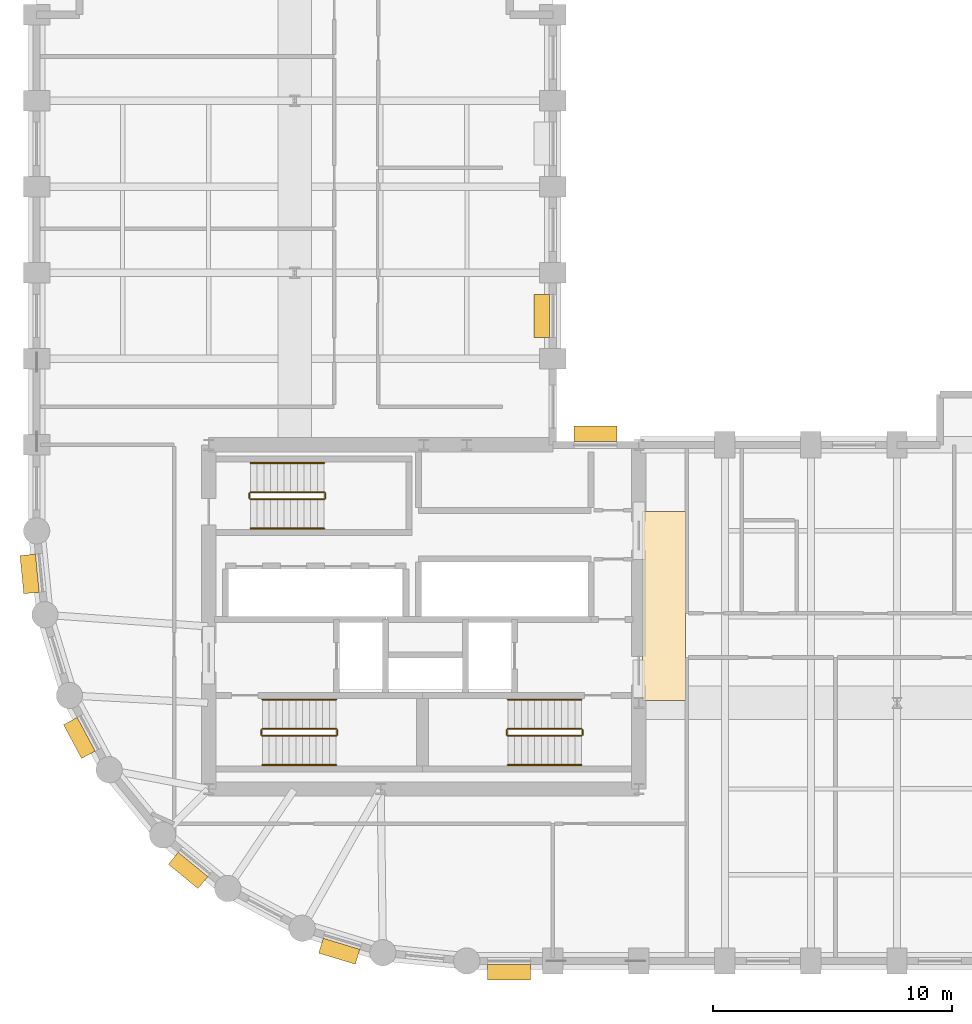
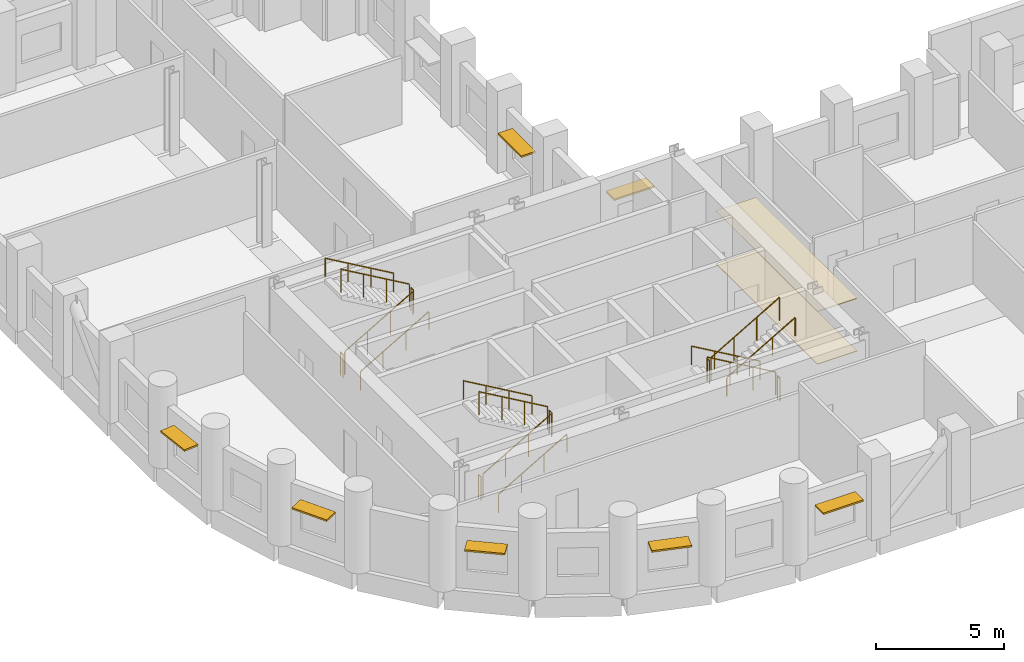
# One storey, part 8 of 9: 18 railings, 7 shading devices, 2 coverings.
"""IFC4 building model written with IfcOpenShell, lengths in metres."""

from ifc_helpers import new_model, si_unit, direction, frame, origin, origin_2d, place, context, subcontext, project, spatial, polyline, rectangle, circle, outline, extrude, material, layer, layer_set, type_object, element, save


model = new_model("IFC4")

# Units and contexts
model_context = context("Model", 3, precision=1e-05, world=origin(), true_north=direction((0.0, 1.0)))
body_context = subcontext(model_context, "Body", "Model", "MODEL_VIEW")
ifc_project = project(units=[si_unit("LENGTHUNIT", "METRE"), si_unit("AREAUNIT", "SQUARE_METRE"), si_unit("VOLUMEUNIT", "CUBIC_METRE"), si_unit("PLANEANGLEUNIT", "RADIAN"), si_unit("MASSUNIT", "GRAM", prefix="KILO")], contexts=[model_context])

# Site, building, storey
site_placement = place(None, origin())
site = spatial("IfcSite", under=ifc_project, at=site_placement, CompositionType="ELEMENT")
building_placement = place(site_placement, origin())
building = spatial("IfcBuilding", under=site, at=building_placement, Name="Solnavia Interchange Tower", CompositionType="ELEMENT")
storey_placement = place(building_placement, frame((0.0, 0.0, 80.10009765625)))
storey = spatial("IfcBuildingStorey", under=building, at=storey_placement, Name="L19", CompositionType="ELEMENT", Elevation=80.10009765625)

# Coverings
ifc_material_1 = material(Name="Perforated Mineral-Fibre & Gypsum Ceiling", Category="gypsum")
ifc_layer_1 = layer(ifc_material_1, 0.0400390625)
ifc_layer_set_1 = layer_set([ifc_layer_1], Name="Perforated Mineral-Fibre & Gypsum Ceiling")
covering_type_1 = type_object("IfcCoveringType", Name="Covering-Ceiling-Acoustic40", PredefinedType="CEILING", material=ifc_layer_set_1)
covering_1_placement = place(storey_placement, frame((0.0, 0.0, 2.5)))
element("IfcCovering", 1, at=covering_1_placement, inside=storey, type_object=covering_type_1, Name="CLG-L19-01 Circulation suspended acoustic ceiling", PredefinedType="CEILING", context=body_context, shape_type="SweptSolid", body=[
    extrude(outline(polyline([(32.550048828125, 14.5), (34.35009765625, 14.5), (34.35009765625, 22.39990234375), (32.550048828125, 22.39990234375), (32.550048828125, 14.5)])), origin(), (0.0, 0.0, 1.0), 0.039794921875),
])
ifc_material_2 = material(Name="Polished Alicante Stone Terrazzo", Category="masonry")
ifc_layer_2 = layer(ifc_material_2, 0.02490234375)
ifc_layer_set_2 = layer_set([ifc_layer_2], Name="Polished Alicante Stone Terrazzo")
covering_type_2 = type_object("IfcCoveringType", Name="Covering-Flooring-Terrazzo25", PredefinedType="FLOORING", material=ifc_layer_set_2)
covering_2_placement = place(storey_placement, origin())
element("IfcCovering", 2, at=covering_2_placement, inside=storey, type_object=covering_type_2, Name="FLR-L19-01 Circulation floor finish", PredefinedType="FLOORING", context=body_context, shape_type="SweptSolid", body=[
    extrude(outline(polyline([(32.550048828125, 14.5), (34.35009765625, 14.5), (34.35009765625, 22.39990234375), (32.550048828125, 22.39990234375), (32.550048828125, 14.5)])), origin(), (0.0, 0.0, 1.0), 0.02490234375),
])

# Railings
ifc_material_3 = material(Name="Painted Steel Balustrade", Category="steel")
railing_type_1 = type_object("IfcRailingType", Name="Railing-StairGuard-1100", PredefinedType="GUARDRAIL", material=ifc_material_3)
railing_1_placement = place(storey_placement, frame((16.64990234375, 13.02001953125, 0.162353515625)))
element("IfcRailing", 3, at=railing_1_placement, inside=storey, type_object=railing_type_1, Name="L19 ST-1 stair guard 1", PredefinedType="GUARDRAIL", context=body_context, shape_type="SweptSolid", body=[
    extrude(circle(Radius=0.02392578125, at=origin_2d()), frame((0.0, 0.0, 1.09619140625), z_axis=(0.864890721111, 0.0, 0.501960198159), x_axis=(0.0, 1.0, 0.0)), (0.0, 0.0, 1.0), 3.561279296875),
    extrude(circle(Radius=0.02099609375, at=origin_2d()), origin(), (0.0, 0.0, 1.0), 1.072021484375),
    extrude(circle(Radius=0.02099609375, at=origin_2d()), frame((1.026611328125, 0.0, 0.595947265625)), (0.0, 0.0, 1.0), 1.072021484375),
    extrude(circle(Radius=0.02099609375, at=origin_2d()), frame((2.053466796875, 0.0, 1.191650390625)), (0.0, 0.0, 1.0), 1.072021484375),
    extrude(circle(Radius=0.02099609375, at=origin_2d()), frame((3.080078125, 0.0, 1.78759765625)), (0.0, 0.0, 1.0), 1.072021484375),
])
railing_2_placement = place(storey_placement, frame((19.780029296875, 13.070068359375, 1.949951171875)))
element("IfcRailing", 4, at=railing_2_placement, inside=storey, type_object=railing_type_1, Name="L19 ST-1 stair guard 2", PredefinedType="GUARDRAIL", context=body_context, shape_type="SweptSolid", body=[
    extrude(circle(Radius=0.02392578125, at=origin_2d()), frame((0.0, 0.0, 1.09619140625), z_axis=(0.0, 1.0, 0.0), x_axis=(-1.0, 0.0, 0.0)), (0.0, 0.0, 1.0), 0.199951171875),
    extrude(circle(Radius=0.02099609375, at=origin_2d()), origin(), (0.0, 0.0, 1.0), 1.072021484375),
    extrude(circle(Radius=0.02099609375, at=origin_2d()), frame((0.0, 0.199951171875, 0.0)), (0.0, 0.0, 1.0), 1.072021484375),
])
railing_3_placement = place(storey_placement, frame((19.72998046875, 13.320068359375, 2.1123046875)))
element("IfcRailing", 5, at=railing_3_placement, inside=storey, type_object=railing_type_1, Name="L19 ST-1 stair guard 3", PredefinedType="GUARDRAIL", context=body_context, shape_type="SweptSolid", body=[
    extrude(circle(Radius=0.02392578125, at=origin_2d()), frame((0.0, 0.0, 1.09619140625), z_axis=(-0.864890721111, 0.0, 0.501960198159), x_axis=(0.0, -1.0, 0.0)), (0.0, 0.0, 1.0), 3.561279296875),
    extrude(circle(Radius=0.02099609375, at=origin_2d()), origin(), (0.0, 0.0, 1.0), 1.072021484375),
    extrude(circle(Radius=0.02099609375, at=origin_2d()), frame((-1.026611328125, 0.0, 0.595947265625)), (0.0, 0.0, 1.0), 1.072021484375),
    extrude(circle(Radius=0.02099609375, at=origin_2d()), frame((-2.053466796875, 0.0, 1.191650390625)), (0.0, 0.0, 1.0), 1.072021484375),
    extrude(circle(Radius=0.02099609375, at=origin_2d()), frame((-3.080078125, 0.0, 1.78759765625)), (0.0, 0.0, 1.0), 1.072021484375),
])
railing_4_placement = place(storey_placement, frame((16.60009765625, 13.070068359375, 0.0)))
element("IfcRailing", 6, at=railing_4_placement, inside=storey, type_object=railing_type_1, Name="L19 ST-1 stair guard 4", PredefinedType="GUARDRAIL", context=body_context, shape_type="SweptSolid", body=[
    extrude(circle(Radius=0.02392578125, at=origin_2d()), frame((0.0, 0.0, 1.09619140625), z_axis=(0.0, 1.0, 0.0), x_axis=(-1.0, 0.0, 0.0)), (0.0, 0.0, 1.0), 0.199951171875),
    extrude(circle(Radius=0.02099609375, at=origin_2d()), origin(), (0.0, 0.0, 1.0), 1.072021484375),
    extrude(circle(Radius=0.02099609375, at=origin_2d()), frame((0.0, 0.199951171875, 0.0)), (0.0, 0.0, 1.0), 1.072021484375),
])
railing_5_placement = place(storey_placement, frame((30.0, 13.320068359375, 0.162353515625)))
element("IfcRailing", 7, at=railing_5_placement, inside=storey, type_object=railing_type_1, Name="L19 ST-2 stair guard 1", PredefinedType="GUARDRAIL", context=body_context, shape_type="SweptSolid", body=[
    extrude(circle(Radius=0.02392578125, at=origin_2d()), frame((0.0, 0.0, 1.09619140625), z_axis=(-0.864890721111, 0.0, 0.501960198159), x_axis=(0.0, -1.0, 0.0)), (0.0, 0.0, 1.0), 3.561279296875),
    extrude(circle(Radius=0.02099609375, at=origin_2d()), origin(), (0.0, 0.0, 1.0), 1.072021484375),
    extrude(circle(Radius=0.02099609375, at=origin_2d()), frame((-1.026611328125, 0.0, 0.595947265625)), (0.0, 0.0, 1.0), 1.072021484375),
    extrude(circle(Radius=0.02099609375, at=origin_2d()), frame((-2.053466796875, 0.0, 1.191650390625)), (0.0, 0.0, 1.0), 1.072021484375),
    extrude(circle(Radius=0.02099609375, at=origin_2d()), frame((-3.080078125, 0.0, 1.78759765625)), (0.0, 0.0, 1.0), 1.072021484375),
])
railing_6_placement = place(storey_placement, frame((26.8701171875, 13.27001953125, 1.949951171875)))
element("IfcRailing", 8, at=railing_6_placement, inside=storey, type_object=railing_type_1, Name="L19 ST-2 stair guard 2", PredefinedType="GUARDRAIL", context=body_context, shape_type="SweptSolid", body=[
    extrude(circle(Radius=0.02392578125, at=origin_2d()), frame((0.0, 0.0, 1.09619140625), z_axis=(0.0, -1.0, 0.0), x_axis=(1.0, 0.0, 0.0)), (0.0, 0.0, 1.0), 0.199951171875),
    extrude(circle(Radius=0.02099609375, at=origin_2d()), origin(), (0.0, 0.0, 1.0), 1.072021484375),
    extrude(circle(Radius=0.02099609375, at=origin_2d()), frame((0.0, -0.199951171875, 0.0)), (0.0, 0.0, 1.0), 1.072021484375),
])
railing_7_placement = place(storey_placement, frame((26.919921875, 13.02001953125, 2.1123046875)))
element("IfcRailing", 9, at=railing_7_placement, inside=storey, type_object=railing_type_1, Name="L19 ST-2 stair guard 3", PredefinedType="GUARDRAIL", context=body_context, shape_type="SweptSolid", body=[
    extrude(circle(Radius=0.02392578125, at=origin_2d()), frame((0.0, 0.0, 1.09619140625), z_axis=(0.864890721111, 0.0, 0.501960198159), x_axis=(0.0, 1.0, 0.0)), (0.0, 0.0, 1.0), 3.561279296875),
    extrude(circle(Radius=0.02099609375, at=origin_2d()), origin(), (0.0, 0.0, 1.0), 1.072021484375),
    extrude(circle(Radius=0.02099609375, at=origin_2d()), frame((1.026611328125, 0.0, 0.595947265625)), (0.0, 0.0, 1.0), 1.072021484375),
    extrude(circle(Radius=0.02099609375, at=origin_2d()), frame((2.053466796875, 0.0, 1.191650390625)), (0.0, 0.0, 1.0), 1.072021484375),
    extrude(circle(Radius=0.02099609375, at=origin_2d()), frame((3.080078125, 0.0, 1.78759765625)), (0.0, 0.0, 1.0), 1.072021484375),
])
railing_8_placement = place(storey_placement, frame((30.050048828125, 13.27001953125, 0.0)))
element("IfcRailing", 10, at=railing_8_placement, inside=storey, type_object=railing_type_1, Name="L19 ST-2 stair guard 4", PredefinedType="GUARDRAIL", context=body_context, shape_type="SweptSolid", body=[
    extrude(circle(Radius=0.02392578125, at=origin_2d()), frame((0.0, 0.0, 1.09619140625), z_axis=(0.0, -1.0, 0.0), x_axis=(1.0, 0.0, 0.0)), (0.0, 0.0, 1.0), 0.199951171875),
    extrude(circle(Radius=0.02099609375, at=origin_2d()), origin(), (0.0, 0.0, 1.0), 1.072021484375),
    extrude(circle(Radius=0.02099609375, at=origin_2d()), frame((0.0, -0.199951171875, 0.0)), (0.0, 0.0, 1.0), 1.072021484375),
])
railing_9_placement = place(storey_placement, frame((16.14990234375, 22.919921875, 0.162353515625)))
element("IfcRailing", 11, at=railing_9_placement, inside=storey, type_object=railing_type_1, Name="L19 ST-3 stair guard 1", PredefinedType="GUARDRAIL", context=body_context, shape_type="SweptSolid", body=[
    extrude(circle(Radius=0.02392578125, at=origin_2d()), frame((0.0, 0.0, 1.09619140625), z_axis=(0.864890721111, 0.0, 0.501960198159), x_axis=(0.0, 1.0, 0.0)), (0.0, 0.0, 1.0), 3.561279296875),
    extrude(circle(Radius=0.02099609375, at=origin_2d()), origin(), (0.0, 0.0, 1.0), 1.072021484375),
    extrude(circle(Radius=0.02099609375, at=origin_2d()), frame((1.026611328125, 0.0, 0.595947265625)), (0.0, 0.0, 1.0), 1.072021484375),
    extrude(circle(Radius=0.02099609375, at=origin_2d()), frame((2.053466796875, 0.0, 1.191650390625)), (0.0, 0.0, 1.0), 1.072021484375),
    extrude(circle(Radius=0.02099609375, at=origin_2d()), frame((3.080078125, 0.0, 1.78759765625)), (0.0, 0.0, 1.0), 1.072021484375),
])
railing_10_placement = place(storey_placement, frame((19.280029296875, 22.969970703125, 1.949951171875)))
element("IfcRailing", 12, at=railing_10_placement, inside=storey, type_object=railing_type_1, Name="L19 ST-3 stair guard 2", PredefinedType="GUARDRAIL", context=body_context, shape_type="SweptSolid", body=[
    extrude(circle(Radius=0.02392578125, at=origin_2d()), frame((0.0, 0.0, 1.09619140625), z_axis=(0.0, 1.0, 0.0), x_axis=(-1.0, 0.0, 0.0)), (0.0, 0.0, 1.0), 0.199951171875),
    extrude(circle(Radius=0.02099609375, at=origin_2d()), origin(), (0.0, 0.0, 1.0), 1.072021484375),
    extrude(circle(Radius=0.02099609375, at=origin_2d()), frame((0.0, 0.199951171875, 0.0)), (0.0, 0.0, 1.0), 1.072021484375),
])
railing_11_placement = place(storey_placement, frame((19.22998046875, 23.219970703125, 2.1123046875)))
element("IfcRailing", 13, at=railing_11_placement, inside=storey, type_object=railing_type_1, Name="L19 ST-3 stair guard 3", PredefinedType="GUARDRAIL", context=body_context, shape_type="SweptSolid", body=[
    extrude(circle(Radius=0.02392578125, at=origin_2d()), frame((0.0, 0.0, 1.09619140625), z_axis=(-0.864890721111, 0.0, 0.501960198159), x_axis=(0.0, -1.0, 0.0)), (0.0, 0.0, 1.0), 3.561279296875),
    extrude(circle(Radius=0.02099609375, at=origin_2d()), origin(), (0.0, 0.0, 1.0), 1.072021484375),
    extrude(circle(Radius=0.02099609375, at=origin_2d()), frame((-1.026611328125, 0.0, 0.595947265625)), (0.0, 0.0, 1.0), 1.072021484375),
    extrude(circle(Radius=0.02099609375, at=origin_2d()), frame((-2.053466796875, 0.0, 1.191650390625)), (0.0, 0.0, 1.0), 1.072021484375),
    extrude(circle(Radius=0.02099609375, at=origin_2d()), frame((-3.080078125, 0.0, 1.78759765625)), (0.0, 0.0, 1.0), 1.072021484375),
])
railing_12_placement = place(storey_placement, frame((16.10009765625, 22.969970703125, 0.0)))
element("IfcRailing", 14, at=railing_12_placement, inside=storey, type_object=railing_type_1, Name="L19 ST-3 stair guard 4", PredefinedType="GUARDRAIL", context=body_context, shape_type="SweptSolid", body=[
    extrude(circle(Radius=0.02392578125, at=origin_2d()), frame((0.0, 0.0, 1.09619140625), z_axis=(0.0, 1.0, 0.0), x_axis=(-1.0, 0.0, 0.0)), (0.0, 0.0, 1.0), 0.199951171875),
    extrude(circle(Radius=0.02099609375, at=origin_2d()), origin(), (0.0, 0.0, 1.0), 1.072021484375),
    extrude(circle(Radius=0.02099609375, at=origin_2d()), frame((0.0, 0.199951171875, 0.0)), (0.0, 0.0, 1.0), 1.072021484375),
])
ifc_material_4 = material(Name="Brushed Stainless Steel", Category="steel")
railing_type_2 = type_object("IfcRailingType", Name="Railing-StairHandrail-900", PredefinedType="HANDRAIL", material=ifc_material_4)
railing_13_placement = place(storey_placement, frame((16.64990234375, 11.800048828125, 0.162353515625)))
element("IfcRailing", 15, at=railing_13_placement, inside=storey, type_object=railing_type_2, Name="L19 ST-1 stair handrail 1", PredefinedType="HANDRAIL", context=body_context, shape_type="SweptSolid", body=[
    extrude(circle(Radius=0.02392578125, at=origin_2d()), frame((0.0, 0.0, 0.8759765625), z_axis=(0.864890721111, 0.0, 0.501960198159), x_axis=(0.0, 1.0, 0.0)), (0.0, 0.0, 1.0), 3.561279296875),
    extrude(circle(Radius=0.02099609375, at=origin_2d()), origin(), (0.0, 0.0, 1.0), 0.851806640625),
    extrude(circle(Radius=0.02099609375, at=origin_2d()), frame((1.026611328125, 0.0, 0.595947265625)), (0.0, 0.0, 1.0), 0.851806640625),
    extrude(circle(Radius=0.02099609375, at=origin_2d()), frame((2.053466796875, 0.0, 1.191650390625)), (0.0, 0.0, 1.0), 0.851806640625),
    extrude(circle(Radius=0.02099609375, at=origin_2d()), frame((3.080078125, 0.0, 1.78759765625)), (0.0, 0.0, 1.0), 0.851806640625),
])
for number, where, name in (
    (16, (19.72998046875, 14.5400390625, 2.1123046875), "L19 ST-1 stair handrail 2"),
    (17, (30.0, 14.5400390625, 0.162353515625), "L19 ST-2 stair handrail 1"),
):
    element("IfcRailing", number, at=place(storey_placement, frame(where)), inside=storey, type_object=railing_type_2, Name=name, PredefinedType="HANDRAIL", context=body_context, shape_type="SweptSolid", body=[
        extrude(circle(Radius=0.02392578125, at=origin_2d()), frame((0.0, 0.0, 0.8759765625), z_axis=(-0.864890721111, 0.0, 0.501960198159), x_axis=(0.0, -1.0, 0.0)), (0.0, 0.0, 1.0), 3.561279296875),
        extrude(circle(Radius=0.02099609375, at=origin_2d()), origin(), (0.0, 0.0, 1.0), 0.851806640625),
        extrude(circle(Radius=0.02099609375, at=origin_2d()), frame((-1.026611328125, 0.0, 0.595947265625)), (0.0, 0.0, 1.0), 0.851806640625),
        extrude(circle(Radius=0.02099609375, at=origin_2d()), frame((-2.053466796875, 0.0, 1.191650390625)), (0.0, 0.0, 1.0), 0.851806640625),
        extrude(circle(Radius=0.02099609375, at=origin_2d()), frame((-3.080078125, 0.0, 1.78759765625)), (0.0, 0.0, 1.0), 0.851806640625),
    ])
for number, where, name in (
    (18, (26.919921875, 11.800048828125, 2.1123046875), "L19 ST-2 stair handrail 2"),
    (19, (16.14990234375, 21.699951171875, 0.162353515625), "L19 ST-3 stair handrail 1"),
):
    element("IfcRailing", number, at=place(storey_placement, frame(where)), inside=storey, type_object=railing_type_2, Name=name, PredefinedType="HANDRAIL", context=body_context, shape_type="SweptSolid", body=[
        extrude(circle(Radius=0.02392578125, at=origin_2d()), frame((0.0, 0.0, 0.8759765625), z_axis=(0.864890721111, 0.0, 0.501960198159), x_axis=(0.0, 1.0, 0.0)), (0.0, 0.0, 1.0), 3.561279296875),
        extrude(circle(Radius=0.02099609375, at=origin_2d()), origin(), (0.0, 0.0, 1.0), 0.851806640625),
        extrude(circle(Radius=0.02099609375, at=origin_2d()), frame((1.026611328125, 0.0, 0.595947265625)), (0.0, 0.0, 1.0), 0.851806640625),
        extrude(circle(Radius=0.02099609375, at=origin_2d()), frame((2.053466796875, 0.0, 1.191650390625)), (0.0, 0.0, 1.0), 0.851806640625),
        extrude(circle(Radius=0.02099609375, at=origin_2d()), frame((3.080078125, 0.0, 1.78759765625)), (0.0, 0.0, 1.0), 0.851806640625),
    ])
railing_14_placement = place(storey_placement, frame((19.22998046875, 24.43994140625, 2.1123046875)))
element("IfcRailing", 20, at=railing_14_placement, inside=storey, type_object=railing_type_2, Name="L19 ST-3 stair handrail 2", PredefinedType="HANDRAIL", context=body_context, shape_type="SweptSolid", body=[
    extrude(circle(Radius=0.02392578125, at=origin_2d()), frame((0.0, 0.0, 0.8759765625), z_axis=(-0.864890721111, 0.0, 0.501960198159), x_axis=(0.0, -1.0, 0.0)), (0.0, 0.0, 1.0), 3.561279296875),
    extrude(circle(Radius=0.02099609375, at=origin_2d()), origin(), (0.0, 0.0, 1.0), 0.851806640625),
    extrude(circle(Radius=0.02099609375, at=origin_2d()), frame((-1.026611328125, 0.0, 0.595947265625)), (0.0, 0.0, 1.0), 0.851806640625),
    extrude(circle(Radius=0.02099609375, at=origin_2d()), frame((-2.053466796875, 0.0, 1.191650390625)), (0.0, 0.0, 1.0), 0.851806640625),
    extrude(circle(Radius=0.02099609375, at=origin_2d()), frame((-3.080078125, 0.0, 1.78759765625)), (0.0, 0.0, 1.0), 0.851806640625),
])

# Shading devices
ifc_material_5 = material(Name="Anodised Aluminium Sunshade", Category="aluminium")
ifc_layer_3 = layer(ifc_material_5, 0.080078125)
ifc_layer_set_3 = layer_set([ifc_layer_3], Name="Anodised Aluminium Sunshade")
shading_device_type = type_object("IfcShadingDeviceType", Name="Sunshade-Band-650", PredefinedType="SHUTTER", material=ifc_layer_set_3)
for number, where, z_axis, x_axis, name in (
    (21, (26.97509765625, 3.1298828125, 2.219970703125), (0.0, 0.0, 1.0), (-1.0, 0.0, 0.0), "SHD-L19-01 Horizontal sunshade band"),
    (22, (30.577880859375, 25.669921875, 2.219970703125), (0.0, 0.0, 1.0), (1.0, 0.0, 0.0), "SHD-L19-31 Horizontal sunshade band"),
    (23, (28.330078125, 30.60009765625, 2.219970703125), (0.0, 0.0, 1.0), (0.0, 1.0, 0.0), "SHD-L19-33 Horizontal sunshade band"),
):
    element("IfcShadingDevice", number, at=place(storey_placement, frame(where, z_axis=z_axis, x_axis=x_axis)), inside=storey, type_object=shading_device_type, Name=name, PredefinedType="SHUTTER", context=body_context, shape_type="SweptSolid", body=[
        extrude(rectangle(XDim=1.800048828125, YDim=0.64990234375, at=origin_2d()), origin(), (0.0, 0.0, 1.0), 0.080078125),
    ])
for number, where, z_axis, x_axis, name in (
    (24, (6.9052734375, 19.79833984375, 2.219970703125), (0.0, 0.0, 1.0), (-0.098103986207, 0.995176169274, 0.0), "SHD-L19-55 Horizontal sunshade band"),
    (25, (8.98779296875, 12.93408203125, 2.219970703125), (0.0, 0.0, 1.0), (-0.47147369718, 0.881880123865, 0.0), "SHD-L19-57 Horizontal sunshade band"),
    (26, (13.5380859375, 7.389404296875, 2.219970703125), (0.0, 0.0, 1.0), (-0.773176510644, 0.634190888762, 0.0), "SHD-L19-59 Horizontal sunshade band"),
    (27, (19.863525390625, 4.00830078125, 2.219970703125), (0.0, 0.0, 1.0), (-0.956965664205, 0.290201167351, 0.0), "SHD-L19-61 Horizontal sunshade band"),
):
    element("IfcShadingDevice", number, at=place(storey_placement, frame(where, z_axis=z_axis, x_axis=x_axis)), inside=storey, type_object=shading_device_type, Name=name, PredefinedType="SHUTTER", context=body_context, shape_type="SweptSolid", body=[
        extrude(rectangle(XDim=1.60009765625, YDim=0.64990234375, at=origin_2d()), origin(), (0.0, 0.0, 1.0), 0.080078125),
    ])

save(model, "model.ifc")
